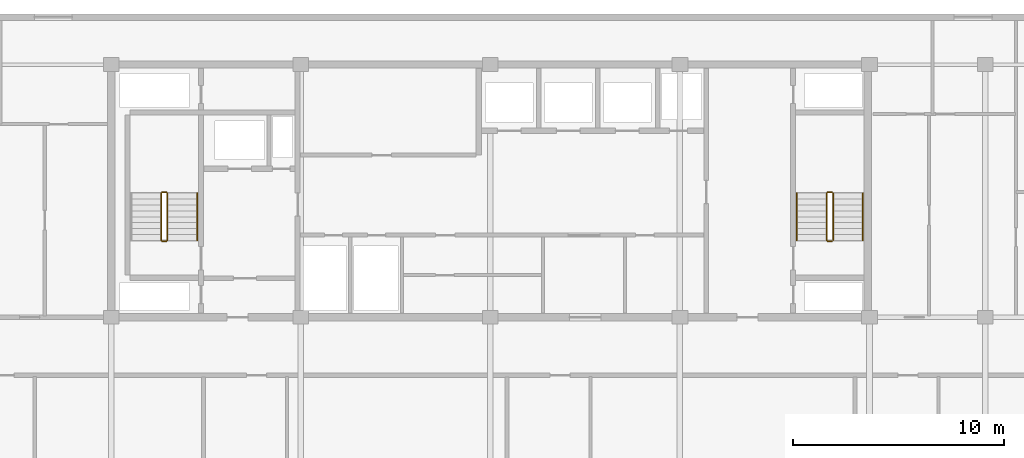
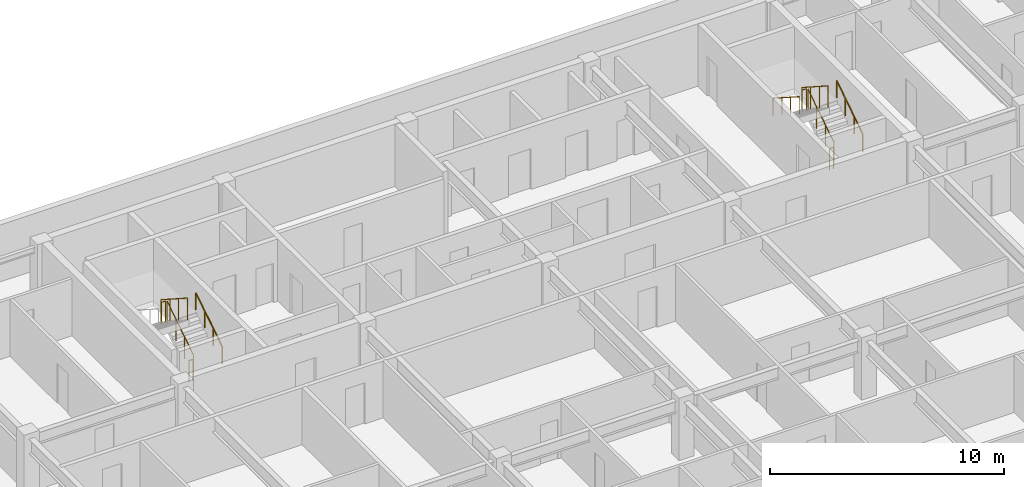
# One storey, part 19 of 22: 11 railings.
"""IFC4 building model written with IfcOpenShell, lengths in metres."""

from ifc_helpers import new_model, si_unit, direction, frame, origin, origin_2d, place, context, subcontext, project, spatial, circle, extrude, material, type_object, element, save


model = new_model("IFC4")

# Units and contexts
model_context = context("Model", 3, precision=1e-05, world=origin(), true_north=direction((0.0, 1.0)))
body_context = subcontext(model_context, "Body", "Model", "MODEL_VIEW")
ifc_project = project(units=[si_unit("LENGTHUNIT", "METRE"), si_unit("AREAUNIT", "SQUARE_METRE"), si_unit("VOLUMEUNIT", "CUBIC_METRE"), si_unit("PLANEANGLEUNIT", "RADIAN"), si_unit("MASSUNIT", "GRAM", prefix="KILO")], contexts=[model_context])

# Site, building, storey
site_placement = place(None, origin())
site = spatial("IfcSite", under=ifc_project, at=site_placement, CompositionType="ELEMENT")
building_placement = place(site_placement, origin())
building = spatial("IfcBuilding", under=site, at=building_placement, Name="Korimba Cascade Residences", CompositionType="ELEMENT")
storey_placement = place(building_placement, frame((0.0, 0.0, 181.60009765625)))
storey = spatial("IfcBuildingStorey", under=building, at=storey_placement, Name="L52", CompositionType="ELEMENT", Elevation=181.60009765625)

# Railings
ifc_material_1 = material(Name="Painted Steel Stairwell Guardrail", Category="steel")
railing_type_1 = type_object("IfcRailingType", Name="RLG-ST-GD1150", PredefinedType="GUARDRAIL", material=ifc_material_1)
railing_1_placement = place(storey_placement, frame((84.77001953125, 22.050048828125, 0.180419921875)))
element("IfcRailing", 1, at=railing_1_placement, inside=storey, type_object=railing_type_1, Name="L52 ST-E1 stair guard 1", PredefinedType="GUARDRAIL", context=body_context, shape_type="SweptSolid", body=[
    extrude(circle(Radius=0.02392578125, at=origin_2d()), frame((0.0, 0.0, 1.1259765625), z_axis=(0.0, 0.840394893359, 0.541974559565), x_axis=(-1.0, 0.0, 0.0)), (0.0, 0.0, 1.0), 2.665283203125),
    extrude(circle(Radius=0.02099609375, at=origin_2d()), origin(), (0.0, 0.0, 1.0), 1.101806640625),
    extrude(circle(Radius=0.02099609375, at=origin_2d()), frame((0.0, 0.74658203125, 0.4814453125)), (0.0, 0.0, 1.0), 1.101806640625),
    extrude(circle(Radius=0.02099609375, at=origin_2d()), frame((0.0, 1.493408203125, 0.963134765625)), (0.0, 0.0, 1.0), 1.101806640625),
    extrude(circle(Radius=0.02099609375, at=origin_2d()), frame((0.0, 2.239990234375, 1.444580078125)), (0.0, 0.0, 1.0), 1.101806640625),
])
railing_2_placement = place(storey_placement, frame((84.719970703125, 24.340087890625, 1.625)))
element("IfcRailing", 2, at=railing_2_placement, inside=storey, type_object=railing_type_1, Name="L52 ST-E1 stair guard 2", PredefinedType="GUARDRAIL", context=body_context, shape_type="SweptSolid", body=[
    extrude(circle(Radius=0.02392578125, at=origin_2d()), frame((0.0, 0.0, 1.1259765625), z_axis=(-1.0, 0.0, 0.0), x_axis=(0.0, -1.0, 0.0)), (0.0, 0.0, 1.0), 0.199951171875),
    extrude(circle(Radius=0.02099609375, at=origin_2d()), origin(), (0.0, 0.0, 1.0), 1.101806640625),
    extrude(circle(Radius=0.02099609375, at=origin_2d()), frame((-0.199951171875, 0.0, 0.0)), (0.0, 0.0, 1.0), 1.101806640625),
])
railing_3_placement = place(storey_placement, frame((84.469970703125, 24.2900390625, 1.805419921875)))
element("IfcRailing", 3, at=railing_3_placement, inside=storey, type_object=railing_type_1, Name="L52 ST-E1 stair guard 3", PredefinedType="GUARDRAIL", context=body_context, shape_type="SweptSolid", body=[
    extrude(circle(Radius=0.02392578125, at=origin_2d()), frame((0.0, 0.0, 1.1259765625), z_axis=(0.0, -0.840394893359, 0.541974559565), x_axis=(1.0, 0.0, 0.0)), (0.0, 0.0, 1.0), 2.665283203125),
    extrude(circle(Radius=0.02099609375, at=origin_2d()), origin(), (0.0, 0.0, 1.0), 1.101806640625),
    extrude(circle(Radius=0.02099609375, at=origin_2d()), frame((0.0, -0.74658203125, 0.4814453125)), (0.0, 0.0, 1.0), 1.101806640625),
    extrude(circle(Radius=0.02099609375, at=origin_2d()), frame((0.0, -1.493408203125, 0.963134765625)), (0.0, 0.0, 1.0), 1.101806640625),
    extrude(circle(Radius=0.02099609375, at=origin_2d()), frame((0.0, -2.239990234375, 1.444580078125)), (0.0, 0.0, 1.0), 1.101806640625),
])
railing_4_placement = place(storey_placement, frame((84.719970703125, 22.0, 0.0)))
element("IfcRailing", 4, at=railing_4_placement, inside=storey, type_object=railing_type_1, Name="L52 ST-E1 stair guard 4", PredefinedType="GUARDRAIL", context=body_context, shape_type="SweptSolid", body=[
    extrude(circle(Radius=0.02392578125, at=origin_2d()), frame((0.0, 0.0, 1.1259765625), z_axis=(-1.0, 0.0, 0.0), x_axis=(0.0, -1.0, 0.0)), (0.0, 0.0, 1.0), 0.199951171875),
    extrude(circle(Radius=0.02099609375, at=origin_2d()), origin(), (0.0, 0.0, 1.0), 1.101806640625),
    extrude(circle(Radius=0.02099609375, at=origin_2d()), frame((-0.199951171875, 0.0, 0.0)), (0.0, 0.0, 1.0), 1.101806640625),
])
railing_5_placement = place(storey_placement, frame((116.3701171875, 22.050048828125, 0.180419921875)))
element("IfcRailing", 5, at=railing_5_placement, inside=storey, type_object=railing_type_1, Name="L52 ST-E2 stair guard 1", PredefinedType="GUARDRAIL", context=body_context, shape_type="SweptSolid", body=[
    extrude(circle(Radius=0.02392578125, at=origin_2d()), frame((0.0, 0.0, 1.1259765625), z_axis=(0.0, 0.840394893359, 0.541974559565), x_axis=(-1.0, 0.0, 0.0)), (0.0, 0.0, 1.0), 2.665283203125),
    extrude(circle(Radius=0.02099609375, at=origin_2d()), origin(), (0.0, 0.0, 1.0), 1.101806640625),
    extrude(circle(Radius=0.02099609375, at=origin_2d()), frame((0.0, 0.74658203125, 0.4814453125)), (0.0, 0.0, 1.0), 1.101806640625),
    extrude(circle(Radius=0.02099609375, at=origin_2d()), frame((0.0, 1.493408203125, 0.963134765625)), (0.0, 0.0, 1.0), 1.101806640625),
    extrude(circle(Radius=0.02099609375, at=origin_2d()), frame((0.0, 2.239990234375, 1.444580078125)), (0.0, 0.0, 1.0), 1.101806640625),
])
railing_6_placement = place(storey_placement, frame((116.320068359375, 24.340087890625, 1.625)))
element("IfcRailing", 6, at=railing_6_placement, inside=storey, type_object=railing_type_1, Name="L52 ST-E2 stair guard 2", PredefinedType="GUARDRAIL", context=body_context, shape_type="SweptSolid", body=[
    extrude(circle(Radius=0.02392578125, at=origin_2d()), frame((0.0, 0.0, 1.1259765625), z_axis=(-1.0, 0.0, 0.0), x_axis=(0.0, -1.0, 0.0)), (0.0, 0.0, 1.0), 0.199951171875),
    extrude(circle(Radius=0.02099609375, at=origin_2d()), origin(), (0.0, 0.0, 1.0), 1.101806640625),
    extrude(circle(Radius=0.02099609375, at=origin_2d()), frame((-0.199951171875, 0.0, 0.0)), (0.0, 0.0, 1.0), 1.101806640625),
])
railing_7_placement = place(storey_placement, frame((116.070068359375, 24.2900390625, 1.805419921875)))
element("IfcRailing", 7, at=railing_7_placement, inside=storey, type_object=railing_type_1, Name="L52 ST-E2 stair guard 3", PredefinedType="GUARDRAIL", context=body_context, shape_type="SweptSolid", body=[
    extrude(circle(Radius=0.02392578125, at=origin_2d()), frame((0.0, 0.0, 1.1259765625), z_axis=(0.0, -0.840394893359, 0.541974559565), x_axis=(1.0, 0.0, 0.0)), (0.0, 0.0, 1.0), 2.665283203125),
    extrude(circle(Radius=0.02099609375, at=origin_2d()), origin(), (0.0, 0.0, 1.0), 1.101806640625),
    extrude(circle(Radius=0.02099609375, at=origin_2d()), frame((0.0, -0.74658203125, 0.4814453125)), (0.0, 0.0, 1.0), 1.101806640625),
    extrude(circle(Radius=0.02099609375, at=origin_2d()), frame((0.0, -1.493408203125, 0.963134765625)), (0.0, 0.0, 1.0), 1.101806640625),
    extrude(circle(Radius=0.02099609375, at=origin_2d()), frame((0.0, -2.239990234375, 1.444580078125)), (0.0, 0.0, 1.0), 1.101806640625),
])
railing_8_placement = place(storey_placement, frame((116.320068359375, 22.0, 0.0)))
element("IfcRailing", 8, at=railing_8_placement, inside=storey, type_object=railing_type_1, Name="L52 ST-E2 stair guard 4", PredefinedType="GUARDRAIL", context=body_context, shape_type="SweptSolid", body=[
    extrude(circle(Radius=0.02392578125, at=origin_2d()), frame((0.0, 0.0, 1.1259765625), z_axis=(-1.0, 0.0, 0.0), x_axis=(0.0, -1.0, 0.0)), (0.0, 0.0, 1.0), 0.199951171875),
    extrude(circle(Radius=0.02099609375, at=origin_2d()), origin(), (0.0, 0.0, 1.0), 1.101806640625),
    extrude(circle(Radius=0.02099609375, at=origin_2d()), frame((-0.199951171875, 0.0, 0.0)), (0.0, 0.0, 1.0), 1.101806640625),
])
ifc_material_2 = material(Name="Brushed Stainless Steel Handrail", Category="steel")
railing_type_2 = type_object("IfcRailingType", Name="RLG-ST-HR900", PredefinedType="HANDRAIL", material=ifc_material_2)
for number, where, name in (
    (9, (86.18994140625, 22.050048828125, 0.36474609375), "L52 ST-E1 stair handrail 1"),
    (10, (117.7900390625, 22.050048828125, 0.36474609375), "L52 ST-E2 stair handrail 1"),
):
    element("IfcRailing", number, at=place(storey_placement, frame(where)), inside=storey, type_object=railing_type_2, Name=name, PredefinedType="HANDRAIL", context=body_context, shape_type="SweptSolid", body=[
        extrude(circle(Radius=0.02392578125, at=origin_2d()), frame((0.0, 0.0, 0.8759765625), z_axis=(0.0, 0.840394893359, 0.541974559565), x_axis=(-1.0, 0.0, 0.0)), (0.0, 0.0, 1.0), 2.665283203125),
        extrude(circle(Radius=0.02099609375, at=origin_2d()), origin(), (0.0, 0.0, 1.0), 0.851806640625),
        extrude(circle(Radius=0.02099609375, at=origin_2d()), frame((0.0, 0.74658203125, 0.4814453125)), (0.0, 0.0, 1.0), 0.851806640625),
        extrude(circle(Radius=0.02099609375, at=origin_2d()), frame((0.0, 1.493408203125, 0.963134765625)), (0.0, 0.0, 1.0), 0.851806640625),
        extrude(circle(Radius=0.02099609375, at=origin_2d()), frame((0.0, 2.239990234375, 1.444580078125)), (0.0, 0.0, 1.0), 0.851806640625),
    ])
railing_9_placement = place(storey_placement, frame((114.64990234375, 24.2900390625, 1.98974609375)))
element("IfcRailing", 11, at=railing_9_placement, inside=storey, type_object=railing_type_2, Name="L52 ST-E2 stair handrail 2", PredefinedType="HANDRAIL", context=body_context, shape_type="SweptSolid", body=[
    extrude(circle(Radius=0.02392578125, at=origin_2d()), frame((0.0, 0.0, 0.8759765625), z_axis=(0.0, -0.840394893359, 0.541974559565), x_axis=(1.0, 0.0, 0.0)), (0.0, 0.0, 1.0), 2.665283203125),
    extrude(circle(Radius=0.02099609375, at=origin_2d()), origin(), (0.0, 0.0, 1.0), 0.851806640625),
    extrude(circle(Radius=0.02099609375, at=origin_2d()), frame((0.0, -0.74658203125, 0.4814453125)), (0.0, 0.0, 1.0), 0.851806640625),
    extrude(circle(Radius=0.02099609375, at=origin_2d()), frame((0.0, -1.493408203125, 0.963134765625)), (0.0, 0.0, 1.0), 0.851806640625),
    extrude(circle(Radius=0.02099609375, at=origin_2d()), frame((0.0, -2.239990234375, 1.444580078125)), (0.0, 0.0, 1.0), 0.851806640625),
])

save(model, "model.ifc")
